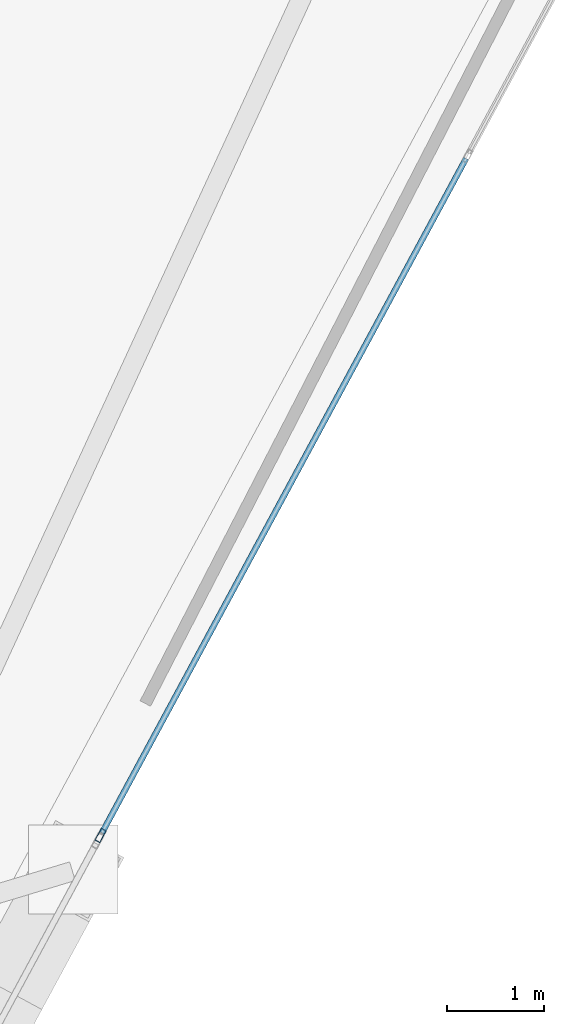
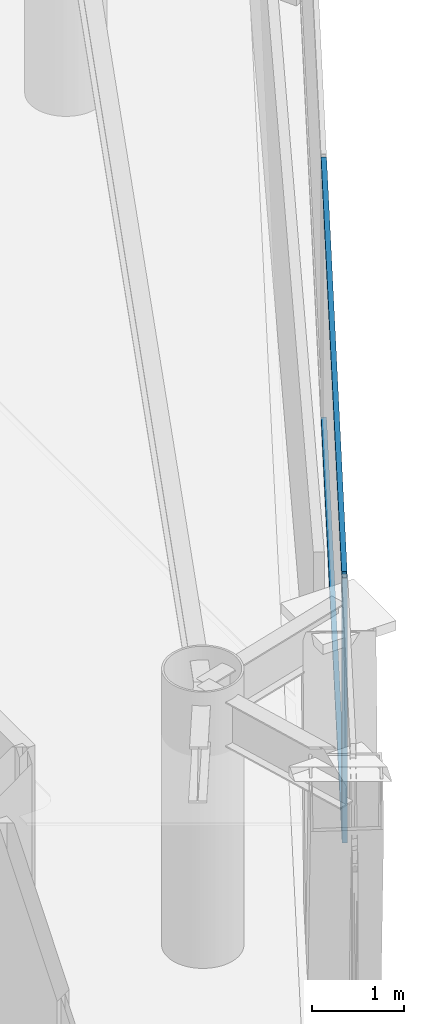
# One storey, part 13 of 24: 3 members, 1 element without a shape of its own.
"""IFC4 building model written with IfcOpenShell, lengths in metres."""

from ifc_helpers import new_model, si_unit, direction, frame, origin, origin_2d, place, context, subcontext, project, spatial, hollow_rectangle, extrude, material, layer, layer_set, material_profile, profile_set, type_object, element, aggregate, save


model = new_model("IFC4")

# Units and contexts
model_context = context("Model", 3, precision=1e-05, world=origin(), true_north=direction((0.0, 1.0)))
body_context = subcontext(model_context, "Body", "Model", "MODEL_VIEW")
ifc_project = project(units=[si_unit("LENGTHUNIT", "METRE"), si_unit("AREAUNIT", "SQUARE_METRE"), si_unit("VOLUMEUNIT", "CUBIC_METRE"), si_unit("PLANEANGLEUNIT", "RADIAN"), si_unit("MASSUNIT", "GRAM", prefix="KILO")], contexts=[model_context])

# Site, building, storey
site_placement = place(None, origin())
site = spatial("IfcSite", under=ifc_project, at=site_placement, CompositionType="ELEMENT")
building_placement = place(site_placement, origin())
building = spatial("IfcBuilding", under=site, at=building_placement, Name="Qianvela Tower", CompositionType="ELEMENT")
storey_placement = place(building_placement, frame((0.0, 0.0, 306.5)))
storey = spatial("IfcBuildingStorey", under=building, at=storey_placement, Name="L79", CompositionType="ELEMENT", Elevation=306.5)

# Curtain wall, members
ifc_material_1 = material(Name="Anodised Architectural Aluminium and Low-E Glass", Category="aluminium")
ifc_layer = layer(ifc_material_1, 0.14990234375)
ifc_layer_set = layer_set([ifc_layer], Name="Anodised Architectural Aluminium and Low-E Glass")
curtain_wall_type = type_object("IfcCurtainWallType", Name="CW-COLIV-Z78", PredefinedType="USERDEFINED", material=ifc_layer_set)
curtain_wall_placement = place(storey_placement, origin())
curtain_wall = element("IfcCurtainWall", 1, at=curtain_wall_placement, inside=storey, type_object=curtain_wall_type, Name="L79 CW-COLIV-Z78 Curtain Wall 06C", ObjectType="CURTAIN_WALL_SYSTEM", PredefinedType="USERDEFINED")
ifc_material_2 = material(Name="Anodised Architectural Aluminium 6063-T6", Category="aluminium")
ifc_material_profile_1 = material_profile(ifc_material_2, hollow_rectangle(XDim=0.06005859375, YDim=0.139892578125, WallThickness=0.00439453125, at=origin_2d()), Name="ALU-MULL-60x140")
ifc_profile_set_1 = profile_set([ifc_material_profile_1], Name="Anodised Architectural Aluminium 6063-T6")
member_type_1 = type_object("IfcMemberType", Name="CW-COLIV-Z78-MULL", PredefinedType="MULLION", material=ifc_profile_set_1)
member_1_placement = place(storey_placement, frame((48.193115234375, 23.3369140625, 0.0), z_axis=(0.0, 0.0, 1.0), x_axis=(-0.879924373564, 0.475113772488, 0.0)))
member_1 = element("IfcMember", 2, at=member_1_placement, type_object=member_type_1, Name="CW-6 mullion 1", PredefinedType="MULLION", context=body_context, shape_type="SweptSolid", body=[
    extrude(hollow_rectangle(XDim=0.06005859375, YDim=0.139892578125, WallThickness=0.00439453125, at=origin_2d()), origin(), (0.0, 0.0, 1.0), 3.52001953125),
])
ifc_material_3 = material(Name="Anodised Architectural Aluminium 6063-T6", Category="aluminium")
ifc_material_profile_2 = material_profile(ifc_material_3, hollow_rectangle(XDim=0.06005859375, YDim=0.114990234375, WallThickness=0.00390625, at=origin_2d()), Name="ALU-TRAN-60x115")
ifc_profile_set_2 = profile_set([ifc_material_profile_2], Name="Anodised Architectural Aluminium 6063-T6")
member_type_2 = type_object("IfcMemberType", Name="CW-COLIV-Z78-TRAN", PredefinedType="USERDEFINED", material=ifc_profile_set_2)
member_2_placement = place(storey_placement, frame((48.20751953125, 23.36328125, 0.030029296875), z_axis=(0.475092821967, 0.879935685443, 0.0), x_axis=(-0.879935685443, 0.475092821967, 0.0)))
member_2 = element("IfcMember", 3, at=member_2_placement, type_object=member_type_2, Name="CW-6 transom 1.1", ObjectType="TRANSOM", PredefinedType="USERDEFINED", context=body_context, shape_type="SweptSolid", body=[
    extrude(hollow_rectangle(XDim=0.06005859375, YDim=0.114990234375, WallThickness=0.00390625, at=origin_2d()), origin(), (0.0, 0.0, 1.0), 7.885498046875),
])
member_3_placement = place(storey_placement, frame((48.20751953125, 23.36328125, 3.489990234375), z_axis=(0.475092821967, 0.879935685443, 0.0), x_axis=(-0.879935685443, 0.475092821967, 0.0)))
member_3 = element("IfcMember", 4, at=member_3_placement, type_object=member_type_2, Name="CW-6 transom 1.2", ObjectType="TRANSOM", PredefinedType="USERDEFINED", context=body_context, shape_type="SweptSolid", body=[
    extrude(hollow_rectangle(XDim=0.06005859375, YDim=0.114990234375, WallThickness=0.00390625, at=origin_2d()), origin(), (0.0, 0.0, 1.0), 7.885498046875),
])
aggregate(curtain_wall, [member_1, member_2, member_3])

save(model, "model.ifc")
